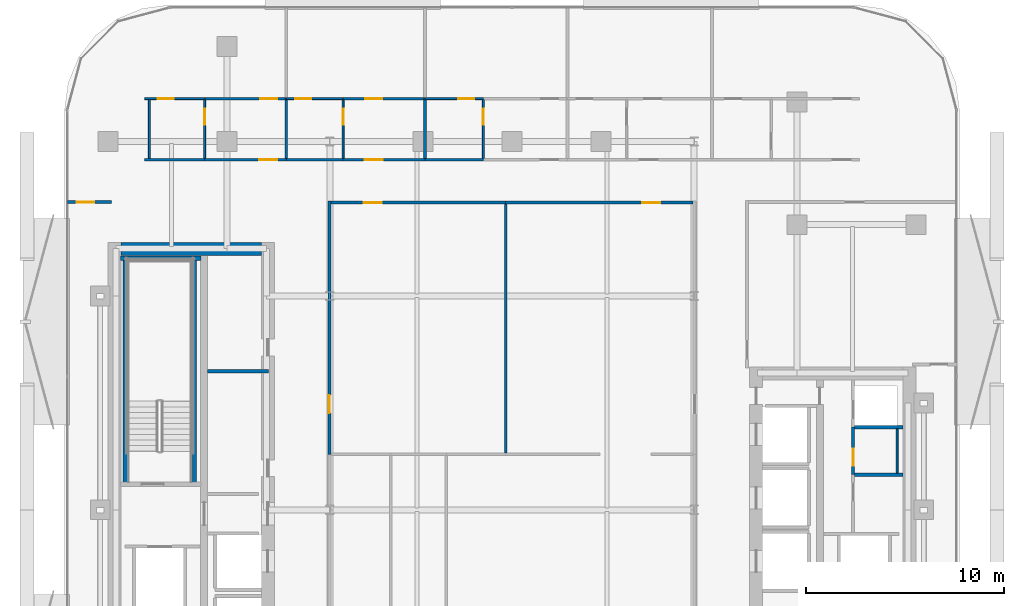
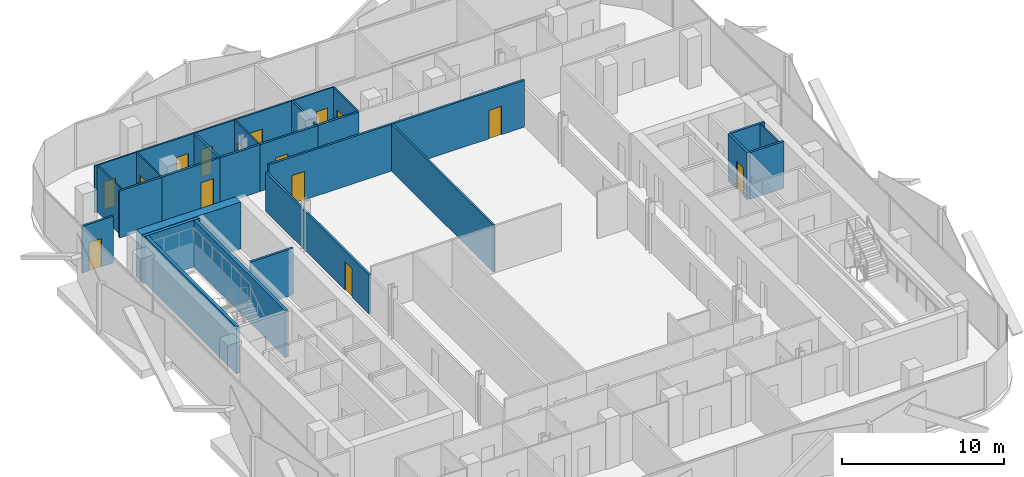
# One storey, part 6 of 17: 30 walls, 15 doors, 15 openings.
"""IFC4 building model written with IfcOpenShell, lengths in metres."""

from ifc_helpers import new_model, si_unit, direction, frame, frame_2d, origin, place, context, subcontext, project, spatial, rectangle, extrude, material, layer, layer_set, type_object, element, fill, save


model = new_model("IFC4")

# Units and contexts
model_context = context("Model", 3, precision=1e-05, world=origin(), true_north=direction((0.0, 1.0)))
body_context = subcontext(model_context, "Body", "Model", "MODEL_VIEW")
ifc_project = project(units=[si_unit("LENGTHUNIT", "METRE"), si_unit("AREAUNIT", "SQUARE_METRE"), si_unit("VOLUMEUNIT", "CUBIC_METRE"), si_unit("PLANEANGLEUNIT", "RADIAN"), si_unit("MASSUNIT", "GRAM", prefix="KILO")], contexts=[model_context])

# Site, building, storey
site_placement = place(None, origin())
site = spatial("IfcSite", under=ifc_project, at=site_placement, CompositionType="ELEMENT")
building_placement = place(site_placement, origin())
building = spatial("IfcBuilding", under=site, at=building_placement, Name="Khairoan Windgate Tower", CompositionType="ELEMENT")
storey_placement = place(building_placement, frame((0.0, 0.0, 195.39990234375)))
storey = spatial("IfcBuildingStorey", under=building, at=storey_placement, Name="L45", CompositionType="ELEMENT", Elevation=195.39990234375)

# Wall, opening, door
ifc_material_1 = material(Name="Moisture-Resistant Gypsum Partition", Category="gypsum")
ifc_layer_1 = layer(ifc_material_1, 0.10009765625, Name="Moisture-Resistant Gypsum Partition")
ifc_layer_set_1 = layer_set([ifc_layer_1], Name="Moisture-Resistant Gypsum Partition")
wall_type_1 = type_object("IfcWallType", Name="Bathroom Wet-Area Partition Wall", PredefinedType="PARTITIONING", material=ifc_layer_set_1)
wall_1_placement = place(storey_placement, frame((-15.52392578125, 17.7548828125, 0.0), z_axis=(0.0, 0.0, 1.0), x_axis=(0.0, 1.0, 0.0)))
wall_1 = element("IfcWall", 1, at=wall_1_placement, inside=storey, type_object=wall_type_1, Name="L45 Interior Partition 055", PredefinedType="PARTITIONING", context=body_context, shape_type="SweptSolid", body=[
    extrude(rectangle(XDim=2.965087890625, YDim=0.10009765625, at=frame_2d((1.482421875, 0.0))), origin(), (0.0, 0.0, 1.0), 3.5400390625),
])
opening_1_placement = place(wall_1_placement, frame((1.705078125, 0.0, 0.0)))
opening_1 = element("IfcOpeningElement", 2, at=opening_1_placement, cuts=wall_1, Name="Opening ID-BTH", PredefinedType="OPENING", context=body_context, shape_type="SweptSolid", body=[
    extrude(rectangle(XDim=0.800048828125, YDim=2.10009765625, at=frame_2d((0.39990234375, 1.050048828125))), frame((0.0, 0.06005859375, 0.0), z_axis=(0.0, -1.0, 0.0), x_axis=(1.0, 0.0, 0.0)), (0.0, 0.0, 1.0), 0.1201171875),
])
ifc_material_2 = material(Name="Teak Veneer Timber Leaf", Category="wood")
door_type_1 = type_object("IfcDoorType", Name="Internal Bathroom Door ID-BTH 800x2100", OperationType="NOTDEFINED", PredefinedType="DOOR", material=ifc_material_2)
door_1_placement = place(opening_1_placement, origin())
door_1 = element("IfcDoor", 3, at=door_1_placement, inside=storey, type_object=door_type_1, Name="L45 L45-39-L45-40 Door", OperationType="SINGLE_SWING_LEFT", OverallHeight=2.10009765625, OverallWidth=0.800048828125, PredefinedType="DOOR", context=body_context, shape_type="SweptSolid", body=[
    extrude(rectangle(XDim=0.800048828125, YDim=2.10009765625, at=frame_2d((0.39990234375, 1.050048828125))), frame((0.0, 0.02490234375, 0.0), z_axis=(0.0, -1.0, 0.0), x_axis=(1.0, 0.0, 0.0)), (0.0, 0.0, 1.0), 0.050048828125),
])
fill(opening_1, door_1)

wall_2_placement = place(storey_placement, frame((-18.56005859375, 20.77001953125, 0.0), z_axis=(0.0, 0.0, 1.0), x_axis=(1.0, 0.0, 0.0)))
wall_2 = element("IfcWall", 4, at=wall_2_placement, inside=storey, type_object=wall_type_1, Name="L45 Interior Partition 056", PredefinedType="PARTITIONING", context=body_context, shape_type="SweptSolid", body=[
    extrude(rectangle(XDim=3.0361328125, YDim=0.10009765625, at=frame_2d((1.51806640625, 0.0))), origin(), (0.0, 0.0, 1.0), 3.5400390625),
])
opening_2_placement = place(wall_2_placement, frame((0.67919921875, 0.0, 0.0)))
opening_2 = element("IfcOpeningElement", 5, at=opening_2_placement, cuts=wall_2, Name="Opening ID-BTH", PredefinedType="OPENING", context=body_context, shape_type="SweptSolid", body=[
    extrude(rectangle(XDim=0.800048828125, YDim=2.10009765625, at=frame_2d((0.39990234375, 1.050048828125))), frame((0.0, 0.06005859375, 0.0), z_axis=(0.0, -1.0, 0.0), x_axis=(1.0, 0.0, 0.0)), (0.0, 0.0, 1.0), 0.1201171875),
])
door_2_placement = place(opening_2_placement, origin())
door_2 = element("IfcDoor", 6, at=door_2_placement, inside=storey, type_object=door_type_1, Name="L45 L45-39-L45-41 Door", OperationType="SINGLE_SWING_RIGHT", OverallHeight=2.10009765625, OverallWidth=0.800048828125, PredefinedType="DOOR", context=body_context, shape_type="SweptSolid", body=[
    extrude(rectangle(XDim=0.800048828125, YDim=2.10009765625, at=frame_2d((0.39990234375, 1.050048828125))), frame((0.0, 0.02490234375, 0.0), z_axis=(0.0, -1.0, 0.0), x_axis=(1.0, 0.0, 0.0)), (0.0, 0.0, 1.0), 0.050048828125),
])
fill(opening_2, door_2)

wall_3_placement = place(storey_placement, frame((-8.52392578125, 17.7548828125, 0.0), z_axis=(0.0, 0.0, 1.0), x_axis=(0.0, 1.0, 0.0)))
wall_3 = element("IfcWall", 7, at=wall_3_placement, inside=storey, type_object=wall_type_1, Name="L45 Interior Partition 060", PredefinedType="PARTITIONING", context=body_context, shape_type="SweptSolid", body=[
    extrude(rectangle(XDim=2.965087890625, YDim=0.10009765625, at=frame_2d((1.482421875, 0.0))), origin(), (0.0, 0.0, 1.0), 3.5400390625),
])
opening_3_placement = place(wall_3_placement, frame((1.705078125, 0.0, 0.0)))
opening_3 = element("IfcOpeningElement", 8, at=opening_3_placement, cuts=wall_3, Name="Opening ID-BTH", PredefinedType="OPENING", context=body_context, shape_type="SweptSolid", body=[
    extrude(rectangle(XDim=0.800048828125, YDim=2.10009765625, at=frame_2d((0.39990234375, 1.050048828125))), frame((0.0, 0.06005859375, 0.0), z_axis=(0.0, -1.0, 0.0), x_axis=(1.0, 0.0, 0.0)), (0.0, 0.0, 1.0), 0.1201171875),
])
door_3_placement = place(opening_3_placement, origin())
door_3 = element("IfcDoor", 9, at=door_3_placement, inside=storey, type_object=door_type_1, Name="L45 L45-42-L45-43 Door", OperationType="SINGLE_SWING_RIGHT", OverallHeight=2.10009765625, OverallWidth=0.800048828125, PredefinedType="DOOR", context=body_context, shape_type="SweptSolid", body=[
    extrude(rectangle(XDim=0.800048828125, YDim=2.10009765625, at=frame_2d((0.39990234375, 1.050048828125))), frame((0.0, 0.02490234375, 0.0), z_axis=(0.0, -1.0, 0.0), x_axis=(1.0, 0.0, 0.0)), (0.0, 0.0, 1.0), 0.050048828125),
])
fill(opening_3, door_3)

wall_4_placement = place(storey_placement, frame((-11.39990234375, 20.77001953125, 0.0), z_axis=(0.0, 0.0, 1.0), x_axis=(1.0, 0.0, 0.0)))
wall_4 = element("IfcWall", 10, at=wall_4_placement, inside=storey, type_object=wall_type_1, Name="L45 Interior Partition 061", PredefinedType="PARTITIONING", context=body_context, shape_type="SweptSolid", body=[
    extrude(rectangle(XDim=2.8759765625, YDim=0.10009765625, at=frame_2d((1.43798828125, 0.0))), origin(), (0.0, 0.0, 1.0), 3.5400390625),
])
opening_4_placement = place(wall_4_placement, frame((0.4599609375, 0.0, 0.0)))
opening_4 = element("IfcOpeningElement", 11, at=opening_4_placement, cuts=wall_4, Name="Opening ID-BTH", PredefinedType="OPENING", context=body_context, shape_type="SweptSolid", body=[
    extrude(rectangle(XDim=0.800048828125, YDim=2.10009765625, at=frame_2d((0.39990234375, 1.050048828125))), frame((0.0, 0.06005859375, 0.0), z_axis=(0.0, -1.0, 0.0), x_axis=(1.0, 0.0, 0.0)), (0.0, 0.0, 1.0), 0.1201171875),
])
door_4_placement = place(opening_4_placement, origin())
door_4 = element("IfcDoor", 12, at=door_4_placement, inside=storey, type_object=door_type_1, Name="L45 L45-42-L45-44 Door", OperationType="SINGLE_SWING_LEFT", OverallHeight=2.10009765625, OverallWidth=0.800048828125, PredefinedType="DOOR", context=body_context, shape_type="SweptSolid", body=[
    extrude(rectangle(XDim=0.800048828125, YDim=2.10009765625, at=frame_2d((0.39990234375, 1.050048828125))), frame((0.0, 0.02490234375, 0.0), z_axis=(0.0, -1.0, 0.0), x_axis=(1.0, 0.0, 0.0)), (0.0, 0.0, 1.0), 0.050048828125),
])
fill(opening_4, door_4)

wall_5_placement = place(storey_placement, frame((-1.444091796875, 17.7548828125, 0.0), z_axis=(0.0, 0.0, 1.0), x_axis=(0.0, 1.0, 0.0)))
wall_5 = element("IfcWall", 13, at=wall_5_placement, inside=storey, type_object=wall_type_1, Name="L45 Interior Partition 065", PredefinedType="PARTITIONING", context=body_context, shape_type="SweptSolid", body=[
    extrude(rectangle(XDim=2.965087890625, YDim=0.10009765625, at=frame_2d((1.482421875, 0.0))), origin(), (0.0, 0.0, 1.0), 3.5400390625),
])
opening_5_placement = place(wall_5_placement, frame((1.705078125, 0.0, 0.0)))
opening_5 = element("IfcOpeningElement", 14, at=opening_5_placement, cuts=wall_5, Name="Opening ID-BTH", PredefinedType="OPENING", context=body_context, shape_type="SweptSolid", body=[
    extrude(rectangle(XDim=0.800048828125, YDim=2.10009765625, at=frame_2d((0.39990234375, 1.050048828125))), frame((0.0, 0.06005859375, 0.0), z_axis=(0.0, -1.0, 0.0), x_axis=(1.0, 0.0, 0.0)), (0.0, 0.0, 1.0), 0.1201171875),
])
door_5_placement = place(opening_5_placement, origin())
door_5 = element("IfcDoor", 15, at=door_5_placement, inside=storey, type_object=door_type_1, Name="L45 L45-45-L45-46 Door", OperationType="SINGLE_SWING_LEFT", OverallHeight=2.10009765625, OverallWidth=0.800048828125, PredefinedType="DOOR", context=body_context, shape_type="SweptSolid", body=[
    extrude(rectangle(XDim=0.800048828125, YDim=2.10009765625, at=frame_2d((0.39990234375, 1.050048828125))), frame((0.0, 0.02490234375, 0.0), z_axis=(0.0, -1.0, 0.0), x_axis=(1.0, 0.0, 0.0)), (0.0, 0.0, 1.0), 0.050048828125),
])
fill(opening_5, door_5)

wall_6_placement = place(storey_placement, frame((-4.39990234375, 20.77001953125, 0.0), z_axis=(0.0, 0.0, 1.0), x_axis=(1.0, 0.0, 0.0)))
wall_6 = element("IfcWall", 16, at=wall_6_placement, inside=storey, type_object=wall_type_1, Name="L45 Interior Partition 066", PredefinedType="PARTITIONING", context=body_context, shape_type="SweptSolid", body=[
    extrude(rectangle(XDim=2.955810546875, YDim=0.10009765625, at=frame_2d((1.47802734375, 0.0))), origin(), (0.0, 0.0, 1.0), 3.5400390625),
])
opening_6_placement = place(wall_6_placement, frame((1.696044921875, 0.0, 0.0)))
opening_6 = element("IfcOpeningElement", 17, at=opening_6_placement, cuts=wall_6, Name="Opening ID-BTH", PredefinedType="OPENING", context=body_context, shape_type="SweptSolid", body=[
    extrude(rectangle(XDim=0.800048828125, YDim=2.10009765625, at=frame_2d((0.39990234375, 1.050048828125))), frame((0.0, 0.06005859375, 0.0), z_axis=(0.0, -1.0, 0.0), x_axis=(1.0, 0.0, 0.0)), (0.0, 0.0, 1.0), 0.1201171875),
])
door_6_placement = place(opening_6_placement, origin())
door_6 = element("IfcDoor", 18, at=door_6_placement, inside=storey, type_object=door_type_1, Name="L45 L45-45-L45-47 Door", OperationType="SINGLE_SWING_RIGHT", OverallHeight=2.10009765625, OverallWidth=0.800048828125, PredefinedType="DOOR", context=body_context, shape_type="SweptSolid", body=[
    extrude(rectangle(XDim=0.800048828125, YDim=2.10009765625, at=frame_2d((0.39990234375, 1.050048828125))), frame((0.0, 0.02490234375, 0.0), z_axis=(0.0, -1.0, 0.0), x_axis=(1.0, 0.0, 0.0)), (0.0, 0.0, 1.0), 0.050048828125),
])
fill(opening_6, door_6)

# Walls
wall_7_placement = place(storey_placement, frame((19.449951171875, 4.090087890625, 0.0), z_axis=(0.0, 0.0, 1.0), x_axis=(0.0, -1.0, 0.0)))
element("IfcWall", 19, at=wall_7_placement, inside=storey, type_object=wall_type_1, Name="L45 Wet Room Side Wall 098", PredefinedType="PARTITIONING", context=body_context, shape_type="SweptSolid", body=[
    extrude(rectangle(XDim=2.239990234375, YDim=0.10009765625, at=frame_2d((1.1201171875, 0.0))), origin(), (0.0, 0.0, 1.0), 3.5400390625),
])
wall_8_placement = place(storey_placement, frame((-18.320068359375, 17.7548828125, 0.0), z_axis=(0.0, 0.0, 1.0), x_axis=(0.0, 1.0, 0.0)))
element("IfcWall", 20, at=wall_8_placement, inside=storey, type_object=wall_type_1, Name="L45 Wet Room Side Wall 100", PredefinedType="PARTITIONING", context=body_context, shape_type="SweptSolid", body=[
    extrude(rectangle(XDim=2.965087890625, YDim=0.10009765625, at=frame_2d((1.482421875, 0.0))), origin(), (0.0, 0.0, 1.0), 3.5400390625),
])
ifc_material_3 = material(Name="Acoustic Fire-Rated Gypsum Partition", Category="gypsum")
ifc_layer_2 = layer(ifc_material_3, 0.139892578125, Name="Acoustic Fire-Rated Gypsum Partition")
ifc_layer_set_2 = layer_set([ifc_layer_2], Name="Acoustic Fire-Rated Gypsum Partition")
wall_type_2 = type_object("IfcWallType", Name="Inter-Tenancy Compartment Wall", PredefinedType="PARTITIONING", material=ifc_layer_set_2)
wall_9_placement = place(storey_placement, frame((-0.320068359375, 2.8701171875, 0.0), z_axis=(0.0, 0.0, 1.0), x_axis=(0.0, 1.0, 0.0)))
element("IfcWall", 21, at=wall_9_placement, inside=storey, type_object=wall_type_2, Name="L45 Interior Partition 054", PredefinedType="PARTITIONING", context=body_context, shape_type="SweptSolid", body=[
    extrude(rectangle(XDim=12.574951171875, YDim=0.139892578125, at=frame_2d((6.28759765625, 0.0))), origin(), (0.0, 0.0, 1.0), 3.5400390625),
])
for number, where, z_axis, x_axis, name in (
    (22, (-11.39990234375, 17.7548828125, 0.0), (0.0, 0.0, 1.0), (0.0, 1.0, 0.0), "L45 Interior Partition 058"),
    (23, (-4.39990234375, 17.7548828125, 0.0), (0.0, 0.0, 1.0), (0.0, 1.0, 0.0), "L45 Interior Partition 063"),
):
    element("IfcWall", number, at=place(storey_placement, frame(where, z_axis=z_axis, x_axis=x_axis)), inside=storey, type_object=wall_type_2, Name=name, PredefinedType="PARTITIONING", context=body_context, shape_type="SweptSolid", body=[
        extrude(rectangle(XDim=3.01513671875, YDim=0.139892578125, at=frame_2d((1.507568359375, 0.0))), origin(), (0.0, 0.0, 1.0), 3.5400390625),
    ])

# Wall, opening, door
ifc_material_4 = material(Name="Gypsum Stud Partition", Category="gypsum")
ifc_layer_3 = layer(ifc_material_4, 0.1201171875, Name="Gypsum Stud Partition")
ifc_layer_set_3 = layer_set([ifc_layer_3], Name="Gypsum Stud Partition")
wall_type_3 = type_object("IfcWallType", Name="Internal Room Partition Wall", PredefinedType="PARTITIONING", material=ifc_layer_set_3)
wall_10_placement = place(storey_placement, frame((-15.52392578125, 20.77001953125, 0.0), z_axis=(0.0, 0.0, 1.0), x_axis=(1.0, 0.0, 0.0)))
wall_10 = element("IfcWall", 24, at=wall_10_placement, inside=storey, type_object=wall_type_3, Name="L45 Interior Partition 057", PredefinedType="PARTITIONING", context=body_context, shape_type="SweptSolid", body=[
    extrude(rectangle(XDim=4.1240234375, YDim=0.1201171875, at=frame_2d((2.06201171875, 0.0))), origin(), (0.0, 0.0, 1.0), 3.5400390625),
])
opening_7_placement = place(wall_10_placement, frame((2.803955078125, 0.0, 0.0)))
opening_7 = element("IfcOpeningElement", 25, at=opening_7_placement, cuts=wall_10, Name="Opening ID-RM", PredefinedType="OPENING", context=body_context, shape_type="SweptSolid", body=[
    extrude(rectangle(XDim=0.860107421875, YDim=2.14990234375, at=frame_2d((0.43017578125, 1.074951171875))), frame((0.0, 0.070068359375, 0.0), z_axis=(0.0, -1.0, 0.0), x_axis=(1.0, 0.0, 0.0)), (0.0, 0.0, 1.0), 0.14013671875),
])
ifc_material_5 = material(Name="Teak Veneer Timber Leaf", Category="wood")
door_type_2 = type_object("IfcDoorType", Name="Internal Bedroom and Office Door ID-RM 860x2150", OperationType="NOTDEFINED", PredefinedType="DOOR", material=ifc_material_5)
door_7_placement = place(opening_7_placement, origin())
door_7 = element("IfcDoor", 26, at=door_7_placement, inside=storey, type_object=door_type_2, Name="L45 L45-40-L45-41 Door", OperationType="SINGLE_SWING_LEFT", OverallHeight=2.14990234375, OverallWidth=0.860107421875, PredefinedType="DOOR", context=body_context, shape_type="SweptSolid", body=[
    extrude(rectangle(XDim=0.860107421875, YDim=2.14990234375, at=frame_2d((0.43017578125, 1.074951171875))), frame((0.0, 0.02490234375, 0.0), z_axis=(0.0, -1.0, 0.0), x_axis=(1.0, 0.0, 0.0)), (0.0, 0.0, 1.0), 0.050048828125),
])
fill(opening_7, door_7)

wall_11_placement = place(storey_placement, frame((-8.52392578125, 20.77001953125, 0.0), z_axis=(0.0, 0.0, 1.0), x_axis=(1.0, 0.0, 0.0)))
wall_11 = element("IfcWall", 27, at=wall_11_placement, inside=storey, type_object=wall_type_3, Name="L45 Interior Partition 062", PredefinedType="PARTITIONING", context=body_context, shape_type="SweptSolid", body=[
    extrude(rectangle(XDim=4.1240234375, YDim=0.1201171875, at=frame_2d((2.06201171875, 0.0))), origin(), (0.0, 0.0, 1.0), 3.5400390625),
])
opening_8_placement = place(wall_11_placement, frame((1.099365234375, 0.0, 0.0)))
opening_8 = element("IfcOpeningElement", 28, at=opening_8_placement, cuts=wall_11, Name="Opening ID-RM", PredefinedType="OPENING", context=body_context, shape_type="SweptSolid", body=[
    extrude(rectangle(XDim=0.860107421875, YDim=2.14990234375, at=frame_2d((0.43017578125, 1.074951171875))), frame((0.0, 0.070068359375, 0.0), z_axis=(0.0, -1.0, 0.0), x_axis=(1.0, 0.0, 0.0)), (0.0, 0.0, 1.0), 0.14013671875),
])
door_8_placement = place(opening_8_placement, origin())
door_8 = element("IfcDoor", 29, at=door_8_placement, inside=storey, type_object=door_type_2, Name="L45 L45-43-L45-44 Door", OperationType="SINGLE_SWING_RIGHT", OverallHeight=2.14990234375, OverallWidth=0.860107421875, PredefinedType="DOOR", context=body_context, shape_type="SweptSolid", body=[
    extrude(rectangle(XDim=0.860107421875, YDim=2.14990234375, at=frame_2d((0.43017578125, 1.074951171875))), frame((0.0, 0.02490234375, 0.0), z_axis=(0.0, -1.0, 0.0), x_axis=(1.0, 0.0, 0.0)), (0.0, 0.0, 1.0), 0.050048828125),
])
fill(opening_8, door_8)

# Wall
ifc_material_6 = material(Name="Concrete C40/50", Category="concrete")
ifc_layer_4 = layer(ifc_material_6, 0.159912109375, Name="Concrete C40/50")
ifc_layer_set_4 = layer_set([ifc_layer_4], Name="Concrete C40/50")
wall_type_4 = type_object("IfcWallType", Name="Plant and Refuge Compartment Wall", PredefinedType="PARTITIONING", material=ifc_layer_set_4)
wall_12_placement = place(storey_placement, frame((-15.375, 7.0, 0.0), z_axis=(0.0, 0.0, 1.0), x_axis=(1.0, 0.0, 0.0)))
element("IfcWall", 30, at=wall_12_placement, inside=storey, type_object=wall_type_4, Name="L45 Interior Partition 006", PredefinedType="PARTITIONING", context=body_context, shape_type="SweptSolid", body=[
    extrude(rectangle(XDim=3.06494140625, YDim=0.159912109375, at=frame_2d((1.532470703125, 0.0))), origin(), (0.0, 0.0, 1.0), 3.5400390625),
])

# Wall, opening, door
wall_13_placement = place(storey_placement, frame((17.22998046875, 1.77001953125, 0.0), z_axis=(0.0, 0.0, 1.0), x_axis=(0.0, 1.0, 0.0)))
wall_13 = element("IfcWall", 31, at=wall_13_placement, inside=storey, type_object=wall_type_4, Name="L45 Interior Partition 008", PredefinedType="PARTITIONING", context=body_context, shape_type="SweptSolid", body=[
    extrude(rectangle(XDim=2.39990234375, YDim=0.159912109375, at=frame_2d((1.199951171875, 0.0))), origin(), (0.0, 0.0, 1.0), 3.5400390625),
])
opening_9_placement = place(wall_13_placement, frame((0.4599609375, 0.0, 0.0)))
opening_9 = element("IfcOpeningElement", 32, at=opening_9_placement, cuts=wall_13, Name="Opening FD-SRV", PredefinedType="OPENING", context=body_context, shape_type="SweptSolid", body=[
    extrude(rectangle(XDim=0.85009765625, YDim=2.10009765625, at=frame_2d((0.425048828125, 1.050048828125))), frame((0.0, 0.08984375, 0.0), z_axis=(0.0, -1.0, 0.0), x_axis=(1.0, 0.0, 0.0)), (0.0, 0.0, 1.0), 0.179931640625),
])
ifc_material_7 = material(Name="Steel S355", Category="steel")
door_type_3 = type_object("IfcDoorType", Name="Core Service and Riser Fire Door FD-SRV 850x2100", OperationType="NOTDEFINED", PredefinedType="DOOR", material=ifc_material_7)
door_9_placement = place(opening_9_placement, origin())
door_9 = element("IfcDoor", 33, at=door_9_placement, inside=storey, type_object=door_type_3, Name="L45 L45-18-L45-20 Door", OperationType="SINGLE_SWING_LEFT", OverallHeight=2.10009765625, OverallWidth=0.85009765625, PredefinedType="DOOR", context=body_context, shape_type="SweptSolid", body=[
    extrude(rectangle(XDim=0.85009765625, YDim=2.10009765625, at=frame_2d((0.425048828125, 1.050048828125))), frame((0.0, 0.02490234375, 0.0), z_axis=(0.0, -1.0, 0.0), x_axis=(1.0, 0.0, 0.0)), (0.0, 0.0, 1.0), 0.050048828125),
])
fill(opening_9, door_9)

# Walls
for number, where, z_axis, x_axis, name in (
    (34, (17.31005859375, 4.169921875, 0.0), (0.0, 0.0, 1.0), (1.0, 0.0, 0.0), "L45 Interior Partition 010"),
    (35, (17.31005859375, 1.77001953125, 0.0), (0.0, 0.0, 1.0), (1.0, 0.0, 0.0), "L45 Interior Partition 011"),
):
    element("IfcWall", number, at=place(storey_placement, frame(where, z_axis=z_axis, x_axis=x_axis)), inside=storey, type_object=wall_type_4, Name=name, PredefinedType="PARTITIONING", context=body_context, shape_type="SweptSolid", body=[
        extrude(rectangle(XDim=2.43994140625, YDim=0.159912109375, at=frame_2d((1.219970703125, 0.0))), origin(), (0.0, 0.0, 1.0), 3.5400390625),
    ])

# Wall, opening, door
ifc_material_8 = material(Name="Acoustic Fire-Rated Gypsum Partition", Category="gypsum")
ifc_layer_5 = layer(ifc_material_8, 0.14990234375, Name="Acoustic Fire-Rated Gypsum Partition")
ifc_layer_set_5 = layer_set([ifc_layer_5], Name="Acoustic Fire-Rated Gypsum Partition")
wall_type_5 = type_object("IfcWallType", Name="Rated Corridor Partition Wall", PredefinedType="PARTITIONING", material=ifc_layer_set_5)
wall_14_placement = place(storey_placement, frame((-9.219970703125, 2.800048828125, 0.0), z_axis=(0.0, 0.0, 1.0), x_axis=(0.0, 1.0, 0.0)))
wall_14 = element("IfcWall", 36, at=wall_14_placement, inside=storey, type_object=wall_type_5, Name="L45 Interior Partition 013", PredefinedType="PARTITIONING", context=body_context, shape_type="SweptSolid", body=[
    extrude(rectangle(XDim=12.794921875, YDim=0.14990234375, at=frame_2d((6.3974609375, 0.0))), origin(), (0.0, 0.0, 1.0), 2.9521484375),
])
opening_10_placement = place(wall_14_placement, frame((2.0859375, 0.0, 0.0)))
opening_10 = element("IfcOpeningElement", 37, at=opening_10_placement, cuts=wall_14, Name="Opening FD-ENT", PredefinedType="OPENING", context=body_context, shape_type="SweptSolid", body=[
    extrude(rectangle(XDim=0.89990234375, YDim=2.14990234375, at=frame_2d((0.449951171875, 1.074951171875))), frame((0.0, 0.0849609375, 0.0), z_axis=(0.0, -1.0, 0.0), x_axis=(1.0, 0.0, 0.0)), (0.0, 0.0, 1.0), 0.169921875),
])
ifc_material_9 = material(Name="Timber Fire-Rated Core", Category="wood")
door_type_4 = type_object("IfcDoorType", Name="Unit and Office Fire Entrance Door FD-ENT 900x2150", OperationType="NOTDEFINED", PredefinedType="DOOR", material=ifc_material_9)
door_10_placement = place(opening_10_placement, origin())
door_10 = element("IfcDoor", 38, at=door_10_placement, inside=storey, type_object=door_type_4, Name="L45 L45-28-L45-37 Door", OperationType="SINGLE_SWING_RIGHT", OverallHeight=2.14990234375, OverallWidth=0.89990234375, PredefinedType="DOOR", context=body_context, shape_type="SweptSolid", body=[
    extrude(rectangle(XDim=0.89990234375, YDim=2.14990234375, at=frame_2d((0.449951171875, 1.074951171875))), frame((0.0, 0.02490234375, 0.0), z_axis=(0.0, -1.0, 0.0), x_axis=(1.0, 0.0, 0.0)), (0.0, 0.0, 1.0), 0.050048828125),
])
fill(opening_10, door_10)

wall_15_placement = place(storey_placement, frame((-9.14501953125, 15.52001953125, 0.0), z_axis=(0.0, 0.0, 1.0), x_axis=(1.0, 0.0, 0.0)))
wall_15 = element("IfcWall", 39, at=wall_15_placement, inside=storey, type_object=wall_type_5, Name="L45 Interior Partition 017", PredefinedType="PARTITIONING", context=body_context, shape_type="SweptSolid", body=[
    extrude(rectangle(XDim=8.824951171875, YDim=0.14990234375, at=frame_2d((4.41259765625, 0.0))), origin(), (0.0, 0.0, 1.0), 3.5400390625),
])
opening_11_placement = place(wall_15_placement, frame((1.660888671875, 0.0, 0.0)))
opening_11 = element("IfcOpeningElement", 40, at=opening_11_placement, cuts=wall_15, Name="Opening FD-ENT", PredefinedType="OPENING", context=body_context, shape_type="SweptSolid", body=[
    extrude(rectangle(XDim=0.89990234375, YDim=2.14990234375, at=frame_2d((0.449951171875, 1.074951171875))), frame((0.0, 0.0849609375, 0.0), z_axis=(0.0, -1.0, 0.0), x_axis=(1.0, 0.0, 0.0)), (0.0, 0.0, 1.0), 0.169921875),
])
door_11_placement = place(opening_11_placement, origin())
door_11 = element("IfcDoor", 41, at=door_11_placement, inside=storey, type_object=door_type_4, Name="L45 L45-30-L45-37 Door", OperationType="SINGLE_SWING_RIGHT", OverallHeight=2.14990234375, OverallWidth=0.89990234375, PredefinedType="DOOR", context=body_context, shape_type="SweptSolid", body=[
    extrude(rectangle(XDim=0.89990234375, YDim=2.14990234375, at=frame_2d((0.449951171875, 1.074951171875))), frame((0.0, 0.02490234375, 0.0), z_axis=(0.0, -1.0, 0.0), x_axis=(1.0, 0.0, 0.0)), (0.0, 0.0, 1.0), 0.050048828125),
])
fill(opening_11, door_11)

wall_16_placement = place(storey_placement, frame((-0.320068359375, 15.52001953125, 0.0), z_axis=(0.0, 0.0, 1.0), x_axis=(1.0, 0.0, 0.0)))
wall_16 = element("IfcWall", 42, at=wall_16_placement, inside=storey, type_object=wall_type_5, Name="L45 Interior Partition 018", PredefinedType="PARTITIONING", context=body_context, shape_type="SweptSolid", body=[
    extrude(rectangle(XDim=9.465087890625, YDim=0.14990234375, at=frame_2d((4.732421875, 0.0))), origin(), (0.0, 0.0, 1.0), 3.5400390625),
])
opening_12_placement = place(wall_16_placement, frame((6.89794921875, 0.0, 0.0)))
opening_12 = element("IfcOpeningElement", 43, at=opening_12_placement, cuts=wall_16, Name="Opening FD-ENT", PredefinedType="OPENING", context=body_context, shape_type="SweptSolid", body=[
    extrude(rectangle(XDim=0.89990234375, YDim=2.14990234375, at=frame_2d((0.449951171875, 1.074951171875))), frame((0.0, 0.0849609375, 0.0), z_axis=(0.0, -1.0, 0.0), x_axis=(1.0, 0.0, 0.0)), (0.0, 0.0, 1.0), 0.169921875),
])
door_12_placement = place(opening_12_placement, origin())
door_12 = element("IfcDoor", 44, at=door_12_placement, inside=storey, type_object=door_type_4, Name="L45 L45-30-L45-38 Door", OperationType="SINGLE_SWING_LEFT", OverallHeight=2.14990234375, OverallWidth=0.89990234375, PredefinedType="DOOR", context=body_context, shape_type="SweptSolid", body=[
    extrude(rectangle(XDim=0.89990234375, YDim=2.14990234375, at=frame_2d((0.449951171875, 1.074951171875))), frame((0.0, 0.02490234375, 0.0), z_axis=(0.0, -1.0, 0.0), x_axis=(1.0, 0.0, 0.0)), (0.0, 0.0, 1.0), 0.050048828125),
])
fill(opening_12, door_12)

# Wall
wall_17_placement = place(storey_placement, frame((-18.56005859375, 17.679931640625, 0.0), z_axis=(0.0, 0.0, 1.0), x_axis=(1.0, 0.0, 0.0)))
element("IfcWall", 45, at=wall_17_placement, inside=storey, type_object=wall_type_5, Name="L45 Interior Partition 019", PredefinedType="PARTITIONING", context=body_context, shape_type="SweptSolid", body=[
    extrude(rectangle(XDim=3.0361328125, YDim=0.14990234375, at=frame_2d((1.51806640625, 0.0))), origin(), (0.0, 0.0, 1.0), 3.5400390625),
])

# Wall, opening, door
wall_18_placement = place(storey_placement, frame((-15.52392578125, 17.679931640625, 0.0), z_axis=(0.0, 0.0, 1.0), x_axis=(1.0, 0.0, 0.0)))
wall_18 = element("IfcWall", 46, at=wall_18_placement, inside=storey, type_object=wall_type_5, Name="L45 Interior Partition 020", PredefinedType="PARTITIONING", context=body_context, shape_type="SweptSolid", body=[
    extrude(rectangle(XDim=4.1240234375, YDim=0.14990234375, at=frame_2d((2.06201171875, 0.0))), origin(), (0.0, 0.0, 1.0), 3.5400390625),
])
opening_13_placement = place(wall_18_placement, frame((2.763916015625, 0.0, 0.0)))
opening_13 = element("IfcOpeningElement", 47, at=opening_13_placement, cuts=wall_18, Name="Opening FD-ENT", PredefinedType="OPENING", context=body_context, shape_type="SweptSolid", body=[
    extrude(rectangle(XDim=0.89990234375, YDim=2.14990234375, at=frame_2d((0.449951171875, 1.074951171875))), frame((0.0, 0.0849609375, 0.0), z_axis=(0.0, -1.0, 0.0), x_axis=(1.0, 0.0, 0.0)), (0.0, 0.0, 1.0), 0.169921875),
])
door_13_placement = place(opening_13_placement, origin())
door_13 = element("IfcDoor", 48, at=door_13_placement, inside=storey, type_object=door_type_4, Name="L45 L45-30-L45-40 Door", OperationType="SINGLE_SWING_RIGHT", OverallHeight=2.14990234375, OverallWidth=0.89990234375, PredefinedType="DOOR", context=body_context, shape_type="SweptSolid", body=[
    extrude(rectangle(XDim=0.89990234375, YDim=2.14990234375, at=frame_2d((0.449951171875, 1.074951171875))), frame((0.0, 0.02490234375, 0.0), z_axis=(0.0, -1.0, 0.0), x_axis=(1.0, 0.0, 0.0)), (0.0, 0.0, 1.0), 0.050048828125),
])
fill(opening_13, door_13)

# Wall
wall_19_placement = place(storey_placement, frame((-11.39990234375, 17.679931640625, 0.0), z_axis=(0.0, 0.0, 1.0), x_axis=(1.0, 0.0, 0.0)))
element("IfcWall", 49, at=wall_19_placement, inside=storey, type_object=wall_type_5, Name="L45 Interior Partition 021", PredefinedType="PARTITIONING", context=body_context, shape_type="SweptSolid", body=[
    extrude(rectangle(XDim=2.8759765625, YDim=0.14990234375, at=frame_2d((1.43798828125, 0.0))), origin(), (0.0, 0.0, 1.0), 3.5400390625),
])

# Wall, opening, door
wall_20_placement = place(storey_placement, frame((-8.52392578125, 17.679931640625, 0.0), z_axis=(0.0, 0.0, 1.0), x_axis=(1.0, 0.0, 0.0)))
wall_20 = element("IfcWall", 50, at=wall_20_placement, inside=storey, type_object=wall_type_5, Name="L45 Interior Partition 022", PredefinedType="PARTITIONING", context=body_context, shape_type="SweptSolid", body=[
    extrude(rectangle(XDim=4.1240234375, YDim=0.14990234375, at=frame_2d((2.06201171875, 0.0))), origin(), (0.0, 0.0, 1.0), 3.5400390625),
])
opening_14_placement = place(wall_20_placement, frame((1.08837890625, 0.0, 0.0)))
opening_14 = element("IfcOpeningElement", 51, at=opening_14_placement, cuts=wall_20, Name="Opening FD-ENT", PredefinedType="OPENING", context=body_context, shape_type="SweptSolid", body=[
    extrude(rectangle(XDim=0.89990234375, YDim=2.14990234375, at=frame_2d((0.449951171875, 1.074951171875))), frame((0.0, 0.0849609375, 0.0), z_axis=(0.0, -1.0, 0.0), x_axis=(1.0, 0.0, 0.0)), (0.0, 0.0, 1.0), 0.169921875),
])
door_14_placement = place(opening_14_placement, origin())
door_14 = element("IfcDoor", 52, at=door_14_placement, inside=storey, type_object=door_type_4, Name="L45 L45-30-L45-43 Door", OperationType="SINGLE_SWING_LEFT", OverallHeight=2.14990234375, OverallWidth=0.89990234375, PredefinedType="DOOR", context=body_context, shape_type="SweptSolid", body=[
    extrude(rectangle(XDim=0.89990234375, YDim=2.14990234375, at=frame_2d((0.449951171875, 1.074951171875))), frame((0.0, 0.02490234375, 0.0), z_axis=(0.0, -1.0, 0.0), x_axis=(1.0, 0.0, 0.0)), (0.0, 0.0, 1.0), 0.050048828125),
])
fill(opening_14, door_14)

# Wall
wall_21_placement = place(storey_placement, frame((-4.39990234375, 17.679931640625, 0.0), z_axis=(0.0, 0.0, 1.0), x_axis=(1.0, 0.0, 0.0)))
element("IfcWall", 53, at=wall_21_placement, inside=storey, type_object=wall_type_5, Name="L45 Interior Partition 023", PredefinedType="PARTITIONING", context=body_context, shape_type="SweptSolid", body=[
    extrude(rectangle(XDim=2.955810546875, YDim=0.14990234375, at=frame_2d((1.47802734375, 0.0))), origin(), (0.0, 0.0, 1.0), 3.5400390625),
])

# Wall, opening, door
wall_22_placement = place(storey_placement, frame((-22.455078125, 15.5400390625, 0.0), z_axis=(0.0, 0.0, 1.0), x_axis=(1.0, 0.0, 0.0)))
wall_22 = element("IfcWall", 54, at=wall_22_placement, inside=storey, type_object=wall_type_5, Name="L45 Interior Partition 030", PredefinedType="PARTITIONING", context=body_context, shape_type="SweptSolid", body=[
    extrude(rectangle(XDim=2.215087890625, YDim=0.14990234375, at=frame_2d((1.107421875, 0.0))), origin(), (0.0, 0.0, 1.0), 3.5400390625),
])
opening_15_placement = place(wall_22_placement, frame((0.4599609375, 0.0, 0.0)))
opening_15 = element("IfcOpeningElement", 55, at=opening_15_placement, cuts=wall_22, Name="Opening FD-ENT", PredefinedType="OPENING", context=body_context, shape_type="SweptSolid", body=[
    extrude(rectangle(XDim=0.89990234375, YDim=2.14990234375, at=frame_2d((0.449951171875, 1.074951171875))), frame((0.0, 0.0849609375, 0.0), z_axis=(0.0, -1.0, 0.0), x_axis=(1.0, 0.0, 0.0)), (0.0, 0.0, 1.0), 0.169921875),
])
door_15_placement = place(opening_15_placement, origin())
door_15 = element("IfcDoor", 56, at=door_15_placement, inside=storey, type_object=door_type_4, Name="L45 L45-30-L45-67 Door", OperationType="SINGLE_SWING_RIGHT", OverallHeight=2.14990234375, OverallWidth=0.89990234375, PredefinedType="DOOR", context=body_context, shape_type="SweptSolid", body=[
    extrude(rectangle(XDim=0.89990234375, YDim=2.14990234375, at=frame_2d((0.449951171875, 1.074951171875))), frame((0.0, 0.02490234375, 0.0), z_axis=(0.0, -1.0, 0.0), x_axis=(1.0, 0.0, 0.0)), (0.0, 0.0, 1.0), 0.050048828125),
])
fill(opening_15, door_15)

# Walls
ifc_material_10 = material(Name="Concrete C60/75", Category="concrete")
ifc_layer_6 = layer(ifc_material_10, 0.64990234375, Name="Concrete C60/75")
ifc_layer_set_6 = layer_set([ifc_layer_6], Name="Concrete C60/75")
wall_type_6 = type_object("IfcWallType", Name="Shear Wall CW-W2 650mm", PredefinedType="SHEAR", material=ifc_layer_set_6)
wall_23_placement = place(storey_placement, frame((-19.75, 13.175048828125, 0.0), z_axis=(0.0, 0.0, 1.0), x_axis=(1.0, 0.0, 0.0)))
element("IfcWall", 57, at=wall_23_placement, inside=storey, type_object=wall_type_6, Name="W Core North Shear Wall L45", PredefinedType="SHEAR", context=body_context, shape_type="SweptSolid", body=[
    extrude(rectangle(XDim=7.10009765625, YDim=0.64990234375, at=frame_2d((3.550048828125, 0.0))), origin(), (0.0, 0.0, 1.0), 3.5400390625),
])
ifc_material_11 = material(Name="Concrete C50/60", Category="concrete")
ifc_layer_7 = layer(ifc_material_11, 0.219970703125, Name="Concrete C50/60")
ifc_layer_set_7 = layer_set([ifc_layer_7], Name="Concrete C50/60")
wall_type_7 = type_object("IfcWallType", Name="Shear Wall SW-ST 220mm", PredefinedType="SHEAR", material=ifc_layer_set_7)
for number, where, z_axis, x_axis, name in (
    (58, (-16.0400390625, 1.2900390625, 0.0), (0.0, 0.0, 1.0), (0.0, 1.0, 0.0), "L45 Stair ST2 East Bearing Wall"),
    (59, (-19.530029296875, 1.2900390625, 0.0), (0.0, 0.0, 1.0), (0.0, 1.0, 0.0), "L45 Stair ST2 West Bearing Wall"),
):
    element("IfcWall", number, at=place(storey_placement, frame(where, z_axis=z_axis, x_axis=x_axis)), inside=storey, type_object=wall_type_7, Name=name, PredefinedType="SHEAR", context=body_context, shape_type="SweptSolid", body=[
        extrude(rectangle(XDim=11.419921875, YDim=0.219970703125, at=frame_2d((5.7099609375, 0.0))), origin(), (0.0, 0.0, 1.0), 3.5400390625),
    ])
wall_24_placement = place(storey_placement, frame((-19.77001953125, 12.7099609375, 0.0), z_axis=(0.0, 0.0, 1.0), x_axis=(1.0, 0.0, 0.0)))
element("IfcWall", 60, at=wall_24_placement, inside=storey, type_object=wall_type_7, Name="L45 Stair ST2 North Bearing Wall", PredefinedType="SHEAR", context=body_context, shape_type="SweptSolid", body=[
    extrude(rectangle(XDim=4.06494140625, YDim=0.219970703125, at=frame_2d((2.032470703125, 0.0))), origin(), (0.0, 0.0, 1.0), 3.5400390625),
])

save(model, "model.ifc")
